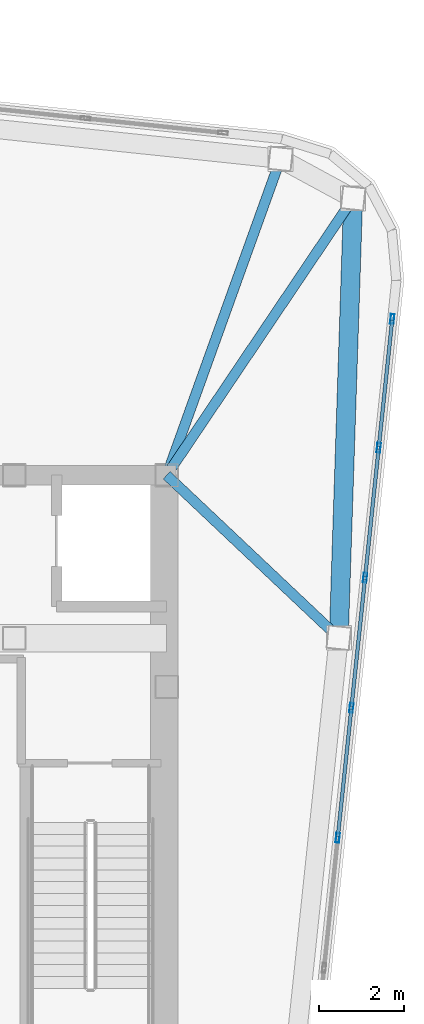
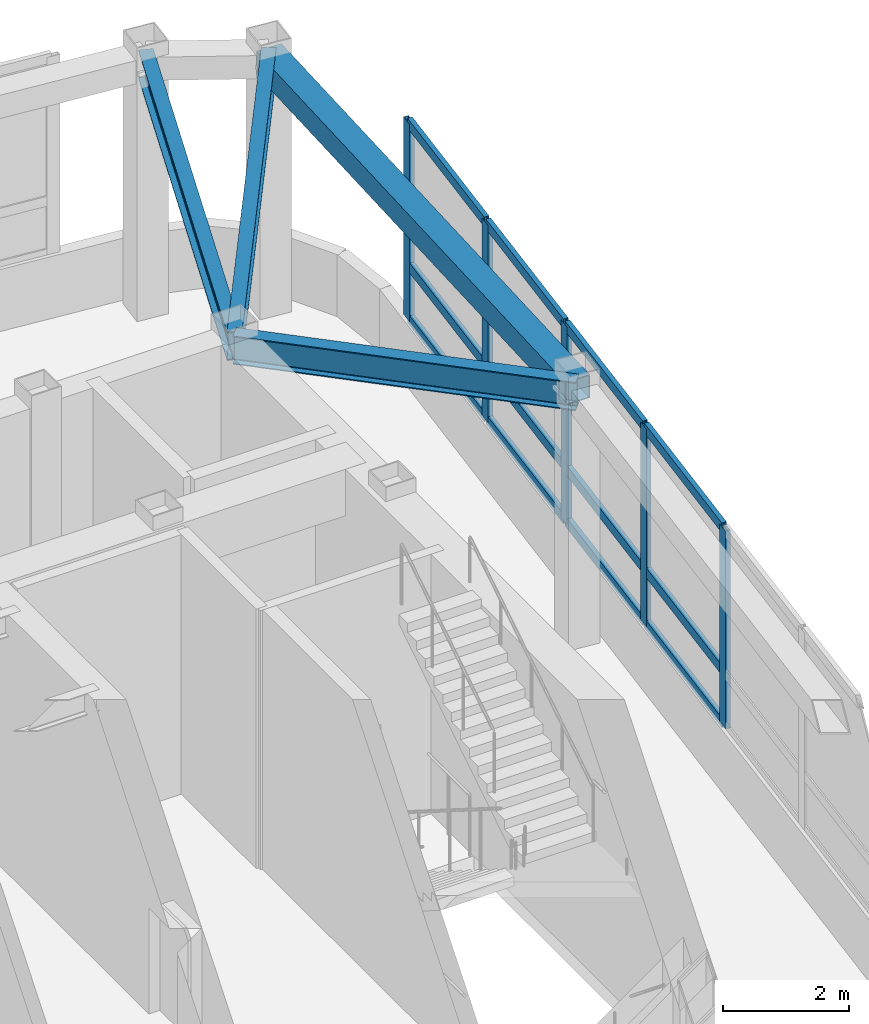
# One storey, part 13 of 23: 17 members, 4 beams, 1 element without a shape of its own.
"""IFC4 building model written with IfcOpenShell, lengths in metres."""

from ifc_helpers import new_model, si_unit, direction, frame, origin, origin_2d, place, context, subcontext, project, spatial, hollow_rectangle, i_section, extrude, material, layer, layer_set, material_profile, profile_set, type_object, element, aggregate, save


model = new_model("IFC4")

# Units and contexts
model_context = context("Model", 3, precision=1e-05, world=origin(), true_north=direction((0.0, 1.0)))
body_context = subcontext(model_context, "Body", "Model", "MODEL_VIEW")
ifc_project = project(units=[si_unit("LENGTHUNIT", "METRE"), si_unit("AREAUNIT", "SQUARE_METRE"), si_unit("VOLUMEUNIT", "CUBIC_METRE"), si_unit("PLANEANGLEUNIT", "RADIAN"), si_unit("MASSUNIT", "GRAM", prefix="KILO")], contexts=[model_context])

# Site, building, storey
site_placement = place(None, origin())
site = spatial("IfcSite", under=ifc_project, at=site_placement, CompositionType="ELEMENT")
building_placement = place(site_placement, origin())
building = spatial("IfcBuilding", under=site, at=building_placement, Name="Voryun Gate Residences", CompositionType="ELEMENT")
storey_placement = place(building_placement, frame((0.0, 0.0, 321.300048828125)))
storey = spatial("IfcBuildingStorey", under=building, at=storey_placement, Name="L79", CompositionType="ELEMENT", Elevation=321.300048828125)

# Beams
ifc_material_1 = material(Name="Steel SM355", Category="steel")
ifc_material_profile_1 = material_profile(ifc_material_1, hollow_rectangle(XDim=0.449951171875, YDim=0.449951171875, WallThickness=0.01806640625, at=origin_2d()), Name="BOX-450x450x18")
ifc_profile_set_1 = profile_set([ifc_material_profile_1], Name="Steel SM355")
beam_type_1 = type_object("IfcBeamType", Name="BM_CROWN_RING", PredefinedType="BEAM", material=ifc_profile_set_1)
beam_1_placement = place(storey_placement, frame((23.263916015625, 3.56201171875, 4.800048828125), z_axis=(0.032727694972, 0.999464305507, 0.0), x_axis=(-0.999464305507, 0.032727694972, 0.0)))
element("IfcBeam", 1, at=beam_1_placement, inside=storey, type_object=beam_type_1, Name="BM-L79-SPAND-09", PredefinedType="BEAM", context=body_context, shape_type="SweptSolid", body=[
    extrude(hollow_rectangle(XDim=0.449951171875, YDim=0.449951171875, WallThickness=0.01806640625, at=origin_2d()), origin(), (0.0, 0.0, 1.0), 10.384033203125),
])
ifc_material_2 = material(Name="Steel SM355", Category="steel")
ifc_material_profile_2 = material_profile(ifc_material_2, i_section(OverallWidth=0.239990234375, OverallDepth=0.550048828125, WebThickness=0.011962890625, FlangeThickness=0.02001953125, FilletRadius=0.01806640625, at=origin_2d()), Name="H-550x240x12x20")
ifc_profile_set_2 = profile_set([ifc_material_profile_2], Name="Steel SM355")
beam_type_2 = type_object("IfcBeamType", Name="BM_GIRD_550", PredefinedType="USERDEFINED", material=ifc_profile_set_2)
beam_2_placement = place(storey_placement, frame((19.199951171875, 7.39990234375, 4.75), z_axis=(0.727039799683, -0.686595317255, 0.0), x_axis=(0.686595317255, 0.727039799683, 0.0)))
element("IfcBeam", 2, at=beam_2_placement, inside=storey, type_object=beam_type_2, Name="BM-L79-RAD-E2", ObjectType="GIRDER", PredefinedType="USERDEFINED", context=body_context, shape_type="SweptSolid", body=[
    extrude(i_section(OverallWidth=0.239990234375, OverallDepth=0.550048828125, WebThickness=0.011962890625, FlangeThickness=0.02001953125, FilletRadius=0.01806640625, at=origin_2d()), origin(), (0.0, 0.0, 1.0), 5.58984375),
])
beam_3_placement = place(storey_placement, frame((19.199951171875, 7.39990234375, 4.75), z_axis=(0.558509953657, 0.829497818964, 0.0), x_axis=(-0.829497818964, 0.558509953657, 0.0)))
element("IfcBeam", 3, at=beam_3_placement, inside=storey, type_object=beam_type_2, Name="BM-L79-RAD-CNE", ObjectType="GIRDER", PredefinedType="USERDEFINED", context=body_context, shape_type="SweptSolid", body=[
    extrude(i_section(OverallWidth=0.239990234375, OverallDepth=0.550048828125, WebThickness=0.011962890625, FlangeThickness=0.02001953125, FilletRadius=0.01806640625, at=origin_2d()), origin(), (0.0, 0.0, 1.0), 7.885009765625),
])
beam_4_placement = place(storey_placement, frame((19.199951171875, 7.39990234375, 4.75), z_axis=(0.338588822794, 0.940934433996, 0.0), x_axis=(-0.940934433996, 0.338588822794, 0.0)))
element("IfcBeam", 4, at=beam_4_placement, inside=storey, type_object=beam_type_2, Name="BM-L79-RAD-N1", ObjectType="GIRDER", PredefinedType="USERDEFINED", context=body_context, shape_type="SweptSolid", body=[
    extrude(i_section(OverallWidth=0.239990234375, OverallDepth=0.550048828125, WebThickness=0.011962890625, FlangeThickness=0.02001953125, FilletRadius=0.01806640625, at=origin_2d()), origin(), (0.0, 0.0, 1.0), 7.94091796875),
])

# Curtain wall, members
ifc_material_3 = material(Name="Anodised aluminium", Category="aluminium")
ifc_layer = layer(ifc_material_3, 0.22998046875, Name="CW_SYS_LANTERN_DARK_GLASS")
ifc_layer_set = layer_set([ifc_layer], Name="Anodised aluminium")
curtain_wall_type = type_object("IfcCurtainWallType", Name="CW_SYS_LANTERN_DARK_GLASS", PredefinedType="NOTDEFINED", material=ifc_layer_set)
curtain_wall_placement = place(storey_placement, origin())
curtain_wall = element("IfcCurtainWall", 5, at=curtain_wall_placement, inside=storey, type_object=curtain_wall_type, Name="Curtain wall CW6-L79-16", PredefinedType="NOTDEFINED")
ifc_material_4 = material(Name="Anodised aluminium", Category="aluminium")
ifc_material_profile_3 = material_profile(ifc_material_4, hollow_rectangle(XDim=0.0849609375, YDim=0.22998046875, WallThickness=0.006103515625, at=origin_2d()), Name="ALU-MULL-230x85x6")
ifc_profile_set_3 = profile_set([ifc_material_profile_3], Name="Anodised aluminium")
member_type_1 = type_object("IfcMemberType", Name="CW_MULL_LANT", PredefinedType="MULLION", material=ifc_profile_set_3)
member_1_placement = place(storey_placement, frame((24.52783203125, 11.090576171875, 1.18994140625), z_axis=(0.0, 0.0, 1.0), x_axis=(0.994521943608, -0.104528004296, 0.0)))
member_1 = element("IfcMember", 6, at=member_1_placement, type_object=member_type_1, Name="CW6 mullion 1", PredefinedType="MULLION", context=body_context, shape_type="SweptSolid", body=[
    extrude(hollow_rectangle(XDim=0.0849609375, YDim=0.22998046875, WallThickness=0.006103515625, at=origin_2d()), origin(), (0.0, 0.0, 1.0), 3.8349609375),
])
member_2_placement = place(storey_placement, frame((24.208251953125, 8.04931640625, 1.18994140625), z_axis=(0.0, 0.0, 1.0), x_axis=(0.994521943608, -0.104528004296, 0.0)))
member_2 = element("IfcMember", 7, at=member_2_placement, type_object=member_type_1, Name="CW6 mullion 2", PredefinedType="MULLION", context=body_context, shape_type="SweptSolid", body=[
    extrude(hollow_rectangle(XDim=0.0849609375, YDim=0.22998046875, WallThickness=0.006103515625, at=origin_2d()), origin(), (0.0, 0.0, 1.0), 3.8349609375),
])
member_3_placement = place(storey_placement, frame((23.885498046875, 4.978515625, 1.18994140625), z_axis=(0.0, 0.0, 1.0), x_axis=(0.994521943608, -0.104528004296, 0.0)))
member_3 = element("IfcMember", 8, at=member_3_placement, type_object=member_type_1, Name="CW6 mullion 3", PredefinedType="MULLION", context=body_context, shape_type="SweptSolid", body=[
    extrude(hollow_rectangle(XDim=0.0849609375, YDim=0.22998046875, WallThickness=0.006103515625, at=origin_2d()), origin(), (0.0, 0.0, 1.0), 3.8349609375),
])
member_4_placement = place(storey_placement, frame((23.562744140625, 1.907470703125, 1.18994140625), z_axis=(0.0, 0.0, 1.0), x_axis=(0.994521943608, -0.104528004296, 0.0)))
member_4 = element("IfcMember", 9, at=member_4_placement, type_object=member_type_1, Name="CW6 mullion 4", PredefinedType="MULLION", context=body_context, shape_type="SweptSolid", body=[
    extrude(hollow_rectangle(XDim=0.0849609375, YDim=0.22998046875, WallThickness=0.006103515625, at=origin_2d()), origin(), (0.0, 0.0, 1.0), 3.8349609375),
])
member_5_placement = place(storey_placement, frame((23.239990234375, -1.163330078125, 1.18994140625), z_axis=(0.0, 0.0, 1.0), x_axis=(0.994521943608, -0.104528004296, 0.0)))
member_5 = element("IfcMember", 10, at=member_5_placement, type_object=member_type_1, Name="CW6 mullion 5", PredefinedType="MULLION", context=body_context, shape_type="SweptSolid", body=[
    extrude(hollow_rectangle(XDim=0.0849609375, YDim=0.22998046875, WallThickness=0.006103515625, at=origin_2d()), origin(), (0.0, 0.0, 1.0), 3.8349609375),
])
ifc_material_5 = material(Name="Anodised aluminium", Category="aluminium")
ifc_material_profile_4 = material_profile(ifc_material_5, hollow_rectangle(XDim=0.0849609375, YDim=0.18994140625, WallThickness=0.006103515625, at=origin_2d()), Name="ALU-TRAN-190x85x6")
ifc_profile_set_4 = profile_set([ifc_material_profile_4], Name="Anodised aluminium")
member_type_2 = type_object("IfcMemberType", Name="CW_TRAN_LANT", PredefinedType="USERDEFINED", material=ifc_profile_set_4)
member_6_placement = place(storey_placement, frame((24.524658203125, 11.060546875, 1.219970703125), z_axis=(-0.104485537102, -0.994526406153, 0.0), x_axis=(0.994526406153, -0.104485537102, 0.0)))
member_6 = element("IfcMember", 11, at=member_6_placement, type_object=member_type_2, Name="CW6 transom 1.1", ObjectType="TRANSOM", PredefinedType="USERDEFINED", context=body_context, shape_type="SweptSolid", body=[
    extrude(hollow_rectangle(XDim=0.0849609375, YDim=0.18994140625, WallThickness=0.006103515625, at=origin_2d()), origin(), (0.0, 0.0, 1.0), 2.997802734375),
])
member_7_placement = place(storey_placement, frame((24.524658203125, 11.060546875, 2.239990234375), z_axis=(-0.104485537102, -0.994526406153, 0.0), x_axis=(0.994526406153, -0.104485537102, 0.0)))
member_7 = element("IfcMember", 12, at=member_7_placement, type_object=member_type_2, Name="CW6 transom 1.2", ObjectType="TRANSOM", PredefinedType="USERDEFINED", context=body_context, shape_type="SweptSolid", body=[
    extrude(hollow_rectangle(XDim=0.0849609375, YDim=0.18994140625, WallThickness=0.006103515625, at=origin_2d()), origin(), (0.0, 0.0, 1.0), 2.997802734375),
])
member_8_placement = place(storey_placement, frame((24.524658203125, 11.060546875, 4.994873046875), z_axis=(-0.104485537102, -0.994526406153, 0.0), x_axis=(0.994526406153, -0.104485537102, 0.0)))
member_8 = element("IfcMember", 13, at=member_8_placement, type_object=member_type_2, Name="CW6 transom 1.3", ObjectType="TRANSOM", PredefinedType="USERDEFINED", context=body_context, shape_type="SweptSolid", body=[
    extrude(hollow_rectangle(XDim=0.0849609375, YDim=0.18994140625, WallThickness=0.006103515625, at=origin_2d()), origin(), (0.0, 0.0, 1.0), 2.997802734375),
])
member_9_placement = place(storey_placement, frame((24.205078125, 8.01953125, 1.219970703125), z_axis=(-0.104500100479, -0.994524876009, 0.0), x_axis=(0.994524876009, -0.104500100479, 0.0)))
member_9 = element("IfcMember", 14, at=member_9_placement, type_object=member_type_2, Name="CW6 transom 2.1", ObjectType="TRANSOM", PredefinedType="USERDEFINED", context=body_context, shape_type="SweptSolid", body=[
    extrude(hollow_rectangle(XDim=0.0849609375, YDim=0.18994140625, WallThickness=0.006103515625, at=origin_2d()), origin(), (0.0, 0.0, 1.0), 3.02783203125),
])
member_10_placement = place(storey_placement, frame((24.205078125, 8.01953125, 2.239990234375), z_axis=(-0.104500100479, -0.994524876009, 0.0), x_axis=(0.994524876009, -0.104500100479, 0.0)))
member_10 = element("IfcMember", 15, at=member_10_placement, type_object=member_type_2, Name="CW6 transom 2.2", ObjectType="TRANSOM", PredefinedType="USERDEFINED", context=body_context, shape_type="SweptSolid", body=[
    extrude(hollow_rectangle(XDim=0.0849609375, YDim=0.18994140625, WallThickness=0.006103515625, at=origin_2d()), origin(), (0.0, 0.0, 1.0), 3.02783203125),
])
member_11_placement = place(storey_placement, frame((24.205078125, 8.01953125, 4.994873046875), z_axis=(-0.104500100479, -0.994524876009, 0.0), x_axis=(0.994524876009, -0.104500100479, 0.0)))
member_11 = element("IfcMember", 16, at=member_11_placement, type_object=member_type_2, Name="CW6 transom 2.3", ObjectType="TRANSOM", PredefinedType="USERDEFINED", context=body_context, shape_type="SweptSolid", body=[
    extrude(hollow_rectangle(XDim=0.0849609375, YDim=0.18994140625, WallThickness=0.006103515625, at=origin_2d()), origin(), (0.0, 0.0, 1.0), 3.02783203125),
])
member_12_placement = place(storey_placement, frame((23.88232421875, 4.948486328125, 1.219970703125), z_axis=(-0.104500100479, -0.994524876009, 0.0), x_axis=(0.994524876009, -0.104500100479, 0.0)))
member_12 = element("IfcMember", 17, at=member_12_placement, type_object=member_type_2, Name="CW6 transom 3.1", ObjectType="TRANSOM", PredefinedType="USERDEFINED", context=body_context, shape_type="SweptSolid", body=[
    extrude(hollow_rectangle(XDim=0.0849609375, YDim=0.18994140625, WallThickness=0.006103515625, at=origin_2d()), origin(), (0.0, 0.0, 1.0), 3.02783203125),
])
member_13_placement = place(storey_placement, frame((23.88232421875, 4.948486328125, 2.239990234375), z_axis=(-0.104500100479, -0.994524876009, 0.0), x_axis=(0.994524876009, -0.104500100479, 0.0)))
member_13 = element("IfcMember", 18, at=member_13_placement, type_object=member_type_2, Name="CW6 transom 3.2", ObjectType="TRANSOM", PredefinedType="USERDEFINED", context=body_context, shape_type="SweptSolid", body=[
    extrude(hollow_rectangle(XDim=0.0849609375, YDim=0.18994140625, WallThickness=0.006103515625, at=origin_2d()), origin(), (0.0, 0.0, 1.0), 3.02783203125),
])
member_14_placement = place(storey_placement, frame((23.88232421875, 4.948486328125, 4.994873046875), z_axis=(-0.104500100479, -0.994524876009, 0.0), x_axis=(0.994524876009, -0.104500100479, 0.0)))
member_14 = element("IfcMember", 19, at=member_14_placement, type_object=member_type_2, Name="CW6 transom 3.3", ObjectType="TRANSOM", PredefinedType="USERDEFINED", context=body_context, shape_type="SweptSolid", body=[
    extrude(hollow_rectangle(XDim=0.0849609375, YDim=0.18994140625, WallThickness=0.006103515625, at=origin_2d()), origin(), (0.0, 0.0, 1.0), 3.02783203125),
])
member_15_placement = place(storey_placement, frame((23.5595703125, 1.877685546875, 1.219970703125), z_axis=(-0.104500100479, -0.994524876009, 0.0), x_axis=(0.994524876009, -0.104500100479, 0.0)))
member_15 = element("IfcMember", 20, at=member_15_placement, type_object=member_type_2, Name="CW6 transom 4.1", ObjectType="TRANSOM", PredefinedType="USERDEFINED", context=body_context, shape_type="SweptSolid", body=[
    extrude(hollow_rectangle(XDim=0.0849609375, YDim=0.18994140625, WallThickness=0.006103515625, at=origin_2d()), origin(), (0.0, 0.0, 1.0), 3.02783203125),
])
member_16_placement = place(storey_placement, frame((23.5595703125, 1.877685546875, 2.239990234375), z_axis=(-0.104500100479, -0.994524876009, 0.0), x_axis=(0.994524876009, -0.104500100479, 0.0)))
member_16 = element("IfcMember", 21, at=member_16_placement, type_object=member_type_2, Name="CW6 transom 4.2", ObjectType="TRANSOM", PredefinedType="USERDEFINED", context=body_context, shape_type="SweptSolid", body=[
    extrude(hollow_rectangle(XDim=0.0849609375, YDim=0.18994140625, WallThickness=0.006103515625, at=origin_2d()), origin(), (0.0, 0.0, 1.0), 3.02783203125),
])
member_17_placement = place(storey_placement, frame((23.5595703125, 1.877685546875, 4.994873046875), z_axis=(-0.104500100479, -0.994524876009, 0.0), x_axis=(0.994524876009, -0.104500100479, 0.0)))
member_17 = element("IfcMember", 22, at=member_17_placement, type_object=member_type_2, Name="CW6 transom 4.3", ObjectType="TRANSOM", PredefinedType="USERDEFINED", context=body_context, shape_type="SweptSolid", body=[
    extrude(hollow_rectangle(XDim=0.0849609375, YDim=0.18994140625, WallThickness=0.006103515625, at=origin_2d()), origin(), (0.0, 0.0, 1.0), 3.02783203125),
])
aggregate(curtain_wall, [member_1, member_2, member_3, member_4, member_5, member_6, member_7, member_8, member_9, member_10, member_11, member_12, member_13, member_14, member_15, member_16, member_17])

save(model, "model.ifc")
